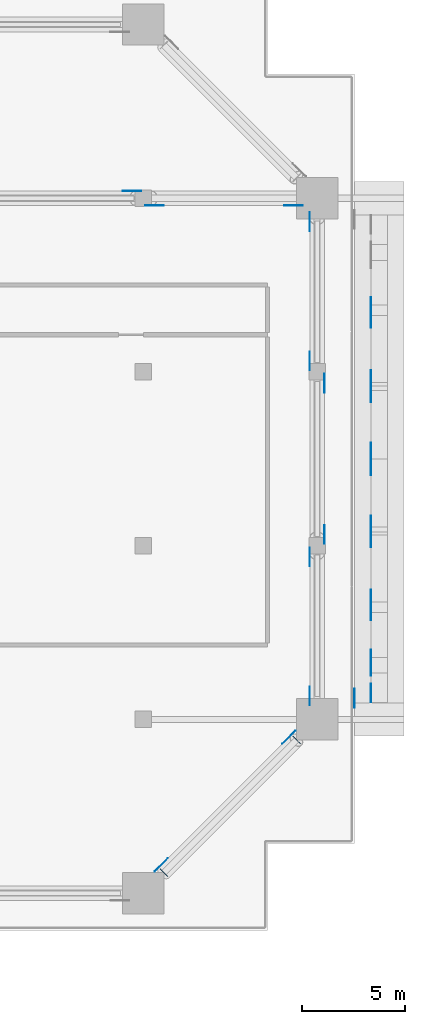
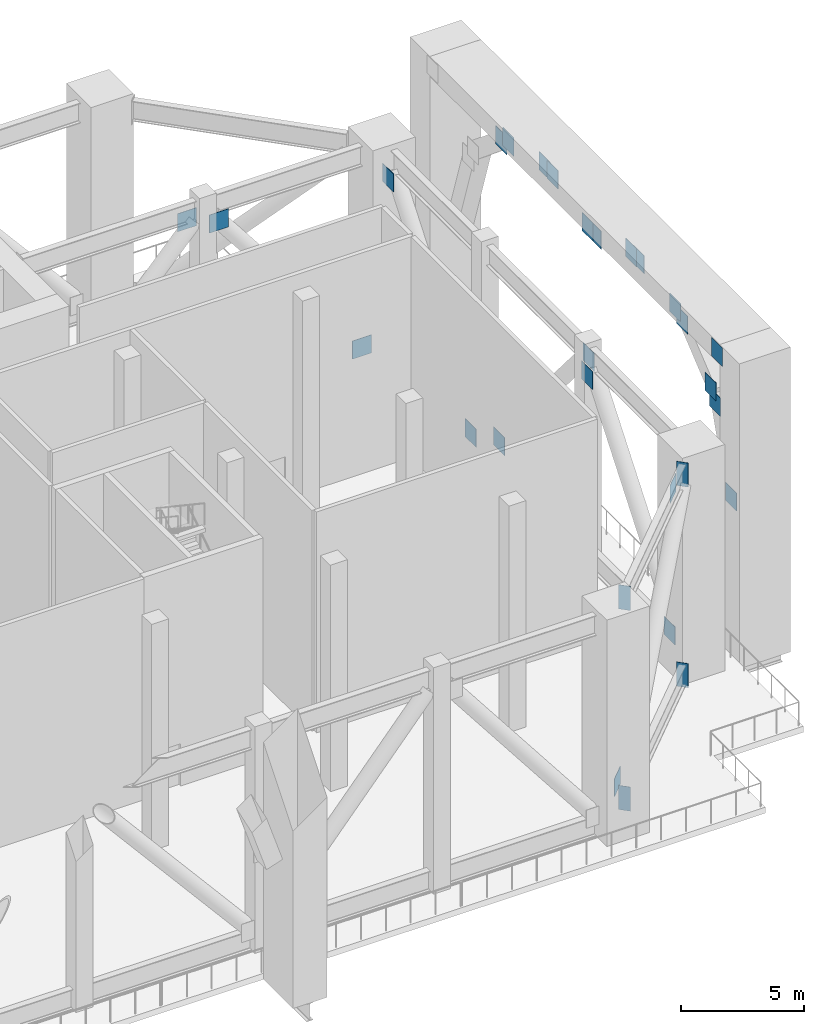
# One storey, part 14 of 19: 29 discrete accessories.
"""IFC4 building model written with IfcOpenShell, lengths in metres."""

from ifc_helpers import new_model, si_unit, direction, frame, origin, origin_2d, place, context, subcontext, project, spatial, rectangle, extrude, element, save


model = new_model("IFC4")

# Units and contexts
model_context = context("Model", 3, precision=1e-05, world=origin(), true_north=direction((0.0, 1.0)))
body_context = subcontext(model_context, "Body", "Model", "MODEL_VIEW")
ifc_project = project(units=[si_unit("LENGTHUNIT", "METRE"), si_unit("AREAUNIT", "SQUARE_METRE"), si_unit("VOLUMEUNIT", "CUBIC_METRE"), si_unit("PLANEANGLEUNIT", "RADIAN"), si_unit("MASSUNIT", "GRAM", prefix="KILO")], contexts=[model_context])

# Site, building, storey
site_placement = place(None, origin())
site = spatial("IfcSite", under=ifc_project, at=site_placement, CompositionType="ELEMENT")
building_placement = place(site_placement, origin())
building = spatial("IfcBuilding", under=site, at=building_placement, Name="Saffron Gate Tower", CompositionType="ELEMENT")
storey_placement = place(building_placement, frame((0.0, 0.0, 84.0)))
storey = spatial("IfcBuildingStorey", under=building, at=storey_placement, Name="L20", CompositionType="ELEMENT", Elevation=84.0)

# Discrete accessories
for number, where, z_axis, x_axis, name in (
    (1, (125.04443359375, 41.33837890625, 0.7275390625), (0.0, 0.0, 1.0), (0.0, 1.0, 0.0), "GUSSET PLATE"),
    (2, (125.04443359375, 48.0615234375, 9.342529296875), (0.0, 0.0, 1.0), (0.0, 1.0, 0.0), "GUSSET PLATE"),
    (3, (125.755615234375, 56.45458984375, 0.7216796875), (0.0, 0.0, 1.0), (0.0, -1.0, 0.0), "GUSSET PLATE"),
    (4, (125.755615234375, 49.1455078125, 9.348388671875), (0.0, 0.0, 1.0), (0.0, -1.0, 0.0), "GUSSET PLATE"),
    (5, (125.04443359375, 57.538330078125, 0.7275390625), (0.0, 0.0, 1.0), (0.0, 1.0, 0.0), "GUSSET PLATE"),
    (6, (125.04443359375, 64.26171875, 9.342529296875), (0.0, 0.0, 1.0), (0.0, 1.0, 0.0), "GUSSET PLATE"),
    (7, (117.861572265625, 33.164306640625, 0.70849609375), (0.0, 0.0, 1.0), (0.707106781187, 0.707106781187, 0.0), "GUSSET PLATE"),
    (8, (124.03564453125, 39.33837890625, 9.361572265625), (0.0, 0.0, 1.0), (0.707106781187, 0.707106781187, 0.0), "GUSSET PLATE"),
    (9, (124.26171875, 65.04443359375, 0.7275390625), (0.0, 0.0, 1.0), (-1.0, 0.0, 0.0), "GUSSET PLATE"),
    (10, (117.538330078125, 65.04443359375, 9.342529296875), (0.0, 0.0, 1.0), (-1.0, 0.0, 0.0), "GUSSET PLATE"),
    (11, (116.4482421875, 65.755615234375, 9.35400390625), (0.0, 0.0, 1.0), (1.0, 0.0, 0.0), "GUSSET PLATE"),
):
    element("IfcDiscreteAccessory", number, at=place(storey_placement, frame(where, z_axis=z_axis, x_axis=x_axis)), inside=storey, Name=name, ObjectType="GUSSET PLATE", PredefinedType="USERDEFINED", context=body_context, shape_type="SweptSolid", body=[
        extrude(rectangle(XDim=0.89990234375, YDim=0.02001953125, at=origin_2d()), origin(), (0.0, 0.0, 1.0), 0.89990234375),
    ])
for number, where, z_axis, x_axis, name in (
    (12, (128.0, 41.47021484375, 6.28125), (0.0, 0.0, 1.0), (0.0, 1.0, 0.0), "EMBEDDED PLATE"),
    (13, (128.0, 42.755126953125, 10.19677734375), (0.0, 0.0, 1.0), (0.0, 1.0, 0.0), "EMBEDDED PLATE"),
    (14, (128.0, 43.124267578125, 10.737548828125), (0.0, 0.0, 1.0), (0.0, 1.0, 0.0), "EMBEDDED PLATE"),
    (15, (128.0, 45.440673828125, 12.64892578125), (0.0, 0.0, 1.0), (0.0, 1.0, 0.0), "EMBEDDED PLATE"),
    (16, (128.0, 46.01123046875, 12.919677734375), (0.0, 0.0, 1.0), (0.0, 1.0, 0.0), "EMBEDDED PLATE"),
    (17, (128.0, 48.97119140625, 13.50927734375), (0.0, 0.0, 1.0), (0.0, 1.0, 0.0), "EMBEDDED PLATE"),
    (18, (128.0, 49.602294921875, 13.4775390625), (0.0, 0.0, 1.0), (0.0, 1.0, 0.0), "EMBEDDED PLATE"),
    (19, (128.0, 52.468017578125, 12.6015625), (0.0, 0.0, 1.0), (0.0, 1.0, 0.0), "EMBEDDED PLATE"),
    (20, (128.0, 53.132080078125, 12.6015625), (0.0, 0.0, 1.0), (0.0, 1.0, 0.0), "EMBEDDED PLATE"),
    (21, (128.0, 55.997802734375, 13.4775390625), (0.0, 0.0, 1.0), (0.0, 1.0, 0.0), "EMBEDDED PLATE"),
    (22, (128.0, 56.628662109375, 13.50927734375), (0.0, 0.0, 1.0), (0.0, 1.0, 0.0), "EMBEDDED PLATE"),
    (23, (128.0, 59.588623046875, 12.919677734375), (0.0, 0.0, 1.0), (0.0, 1.0, 0.0), "EMBEDDED PLATE"),
    (24, (128.0, 60.1591796875, 12.64892578125), (0.0, 0.0, 1.0), (0.0, 1.0, 0.0), "EMBEDDED PLATE"),
    (25, (127.199951171875, 41.22509765625, 13.900146484375), (0.0, 0.0, 1.0), (0.0, 1.0, 0.0), "EMBEDDED PLATE"),
):
    element("IfcDiscreteAccessory", number, at=place(storey_placement, frame(where, z_axis=z_axis, x_axis=x_axis)), inside=storey, Name=name, ObjectType="EMBEDDED PLATE", PredefinedType="USERDEFINED", context=body_context, shape_type="SweptSolid", body=[
        extrude(rectangle(XDim=0.89990234375, YDim=0.02001953125, at=origin_2d()), origin(), (0.0, 0.0, 1.0), 0.89990234375),
    ])
for number, where, z_axis, x_axis, name in (
    (26, (117.992919921875, 32.79296875, 9.8701171875), (0.0, 0.0, 1.0), (-0.707106781187, -0.707106781187, 0.0), "BELT TRUSS END PLATE"),
    (27, (124.406982421875, 39.20703125, 9.8701171875), (0.0, 0.0, 1.0), (0.707106781187, 0.707106781187, 0.0), "BELT TRUSS END PLATE"),
    (28, (117.992919921875, 32.79296875, -0.10009765625), (0.0, 0.0, 1.0), (-0.707106781187, -0.707106781187, 0.0), "BELT TRUSS END PLATE"),
    (29, (124.406982421875, 39.20703125, -0.10009765625), (0.0, 0.0, 1.0), (0.707106781187, 0.707106781187, 0.0), "BELT TRUSS END PLATE"),
):
    element("IfcDiscreteAccessory", number, at=place(storey_placement, frame(where, z_axis=z_axis, x_axis=x_axis)), inside=storey, Name=name, ObjectType="BELT TRUSS END PLATE", PredefinedType="USERDEFINED", context=body_context, shape_type="SweptSolid", body=[
        extrude(rectangle(XDim=0.02001953125, YDim=0.5, at=origin_2d()), origin(), (0.0, 0.0, 1.0), 1.199951171875),
    ])

save(model, "model.ifc")
